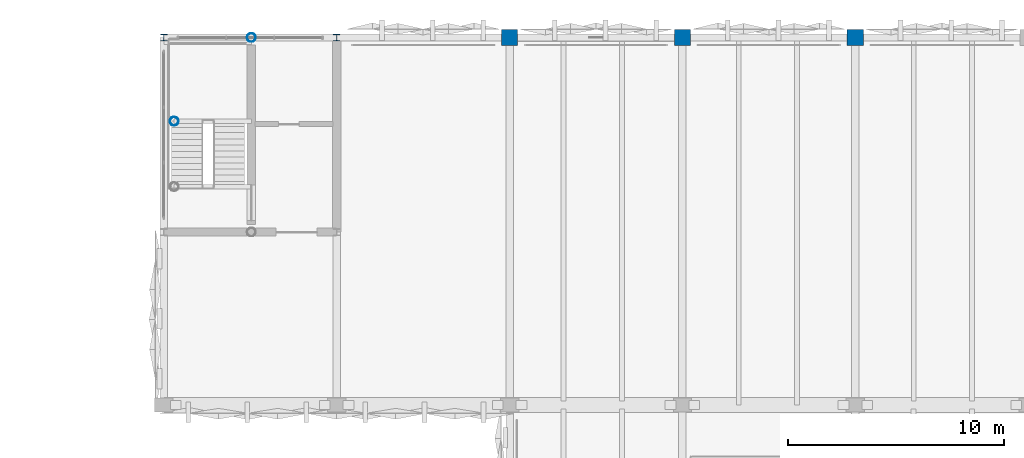
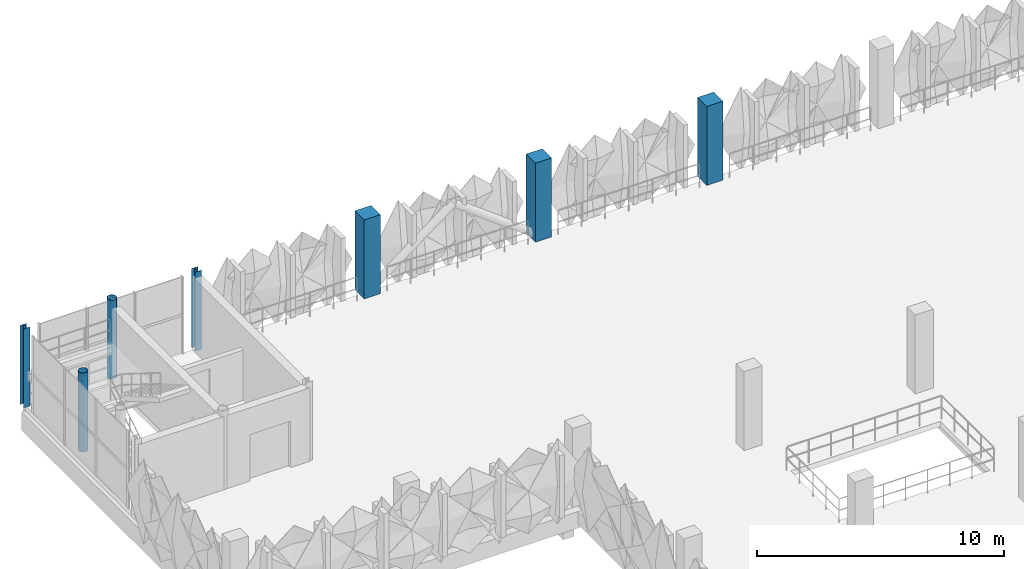
# One storey, part 8 of 76: 7 columns.
"""IFC4 building model written with IfcOpenShell, lengths in metres."""

from ifc_helpers import new_model, si_unit, derived_unit, direction, frame, origin, origin_2d, place, context, subcontext, project, spatial, rectangle, hollow_circle, i_section, extrude, material, material_profile, profile_set, type_object, element, save


model = new_model("IFC4")

# Units and contexts
model_context = context("Model", 3, precision=1e-05, world=origin(), true_north=direction((0.0, 1.0)))
body_context = subcontext(model_context, "Body", "Model", "MODEL_VIEW")
ifc_project = project(units=[si_unit("LENGTHUNIT", "METRE"), si_unit("AREAUNIT", "SQUARE_METRE"), si_unit("VOLUMEUNIT", "CUBIC_METRE"), si_unit("PLANEANGLEUNIT", "RADIAN"), si_unit("MASSUNIT", "GRAM", prefix="KILO"), si_unit("THERMODYNAMICTEMPERATUREUNIT", "KELVIN"), derived_unit("THERMALTRANSMITTANCEUNIT", [(si_unit("POWERUNIT", "WATT"), 1), (si_unit("AREAUNIT", "SQUARE_METRE"), -1), (si_unit("THERMODYNAMICTEMPERATUREUNIT", "KELVIN"), -1)])], contexts=[model_context])

# Site, building, storey
site_placement = place(None, origin())
site = spatial("IfcSite", under=ifc_project, at=site_placement, CompositionType="ELEMENT")
building_placement = place(site_placement, origin())
building = spatial("IfcBuilding", under=site, at=building_placement, Name="Haiyu Intermodal Mobility Hub", CompositionType="ELEMENT")
storey_placement = place(building_placement, frame((0.0, 0.0, 17.300048828125)))
storey = spatial("IfcBuildingStorey", under=building, at=storey_placement, Name="L04", CompositionType="ELEMENT", Elevation=17.300048828125)

# Columns
ifc_material_1 = material(Name="Precast concrete C40", Category="concrete")
ifc_material_profile_1 = material_profile(ifc_material_1, rectangle(XDim=0.75, YDim=0.75, at=origin_2d()), Name="RC750x750")
ifc_profile_set_1 = profile_set([ifc_material_profile_1], Name="Precast concrete C40")
column_type_1 = type_object("IfcColumnType", Name="COL-CC03-EXT", PredefinedType="COLUMN", material=ifc_profile_set_1)
for number, where, z_axis, x_axis, name in (
    (1, (38.0, 148.0, 0.0), (0.0, 0.0, 1.0), (1.0, 0.0, 0.0), "Column V4-4S L04"),
    (2, (46.0, 148.0, 0.0), (0.0, 0.0, 1.0), (1.0, 0.0, 0.0), "Column V4-5S L04"),
    (3, (54.0, 148.0, 0.0), (0.0, 0.0, 1.0), (1.0, 0.0, 0.0), "Column V4-6S L04"),
):
    element("IfcColumn", number, at=place(storey_placement, frame(where, z_axis=z_axis, x_axis=x_axis)), inside=storey, type_object=column_type_1, Name=name, PredefinedType="COLUMN", context=body_context, shape_type="SweptSolid", body=[
        extrude(rectangle(XDim=0.75, YDim=0.75, at=origin_2d()), origin(), (0.0, 0.0, 1.0), 3.89990234375),
    ])
ifc_material_2 = material(Name="Steel Q355C", Category="steel")
ifc_material_profile_2 = material_profile(ifc_material_2, hollow_circle(Radius=0.202880859375, WallThickness=0.013916015625, at=origin_2d()), Name="CHS406x14")
ifc_profile_set_2 = profile_set([ifc_material_profile_2], Name="Steel Q355C")
column_type_2 = type_object("IfcColumnType", Name="COL-SC03", PredefinedType="COLUMN", material=ifc_profile_set_2)
column_1_placement = place(storey_placement, frame((22.47998046875, 144.1298828125, 0.0), z_axis=(0.0, 0.0, 1.0), x_axis=(1.0, 0.0, 0.0)))
element("IfcColumn", 4, at=column_1_placement, inside=storey, type_object=column_type_2, Name="Column C3-WLP L04", PredefinedType="COLUMN", context=body_context, shape_type="SweptSolid", body=[
    extrude(hollow_circle(Radius=0.202880859375, WallThickness=0.013916015625, at=origin_2d()), origin(), (0.0, 0.0, 1.0), 3.89990234375),
])
ifc_material_profile_3 = material_profile(ifc_material_2, hollow_circle(Radius=0.202880859375, WallThickness=0.013916015625, at=origin_2d()), Name="CHS406x14")
ifc_profile_set_3 = profile_set([ifc_material_profile_3], Name="Steel Q355C")
column_type_3 = type_object("IfcColumnType", Name="COL-SC03-EXT", PredefinedType="COLUMN", material=ifc_profile_set_3)
column_2_placement = place(storey_placement, frame((26.050048828125, 148.0, 0.0), z_axis=(0.0, 0.0, 1.0), x_axis=(1.0, 0.0, 0.0)))
element("IfcColumn", 5, at=column_2_placement, inside=storey, type_object=column_type_3, Name="Column C3-MN L04", PredefinedType="COLUMN", context=body_context, shape_type="SweptSolid", body=[
    extrude(hollow_circle(Radius=0.202880859375, WallThickness=0.013916015625, at=origin_2d()), origin(), (0.0, 0.0, 1.0), 3.89990234375),
])
ifc_material_profile_4 = material_profile(ifc_material_2, i_section(OverallWidth=0.300048828125, OverallDepth=0.300048828125, WebThickness=0.010009765625, FlangeThickness=0.014892578125, FilletRadius=0.01806640625, at=origin_2d()), Name="HW300x300x10x15")
ifc_profile_set_4 = profile_set([ifc_material_profile_4], Name="Steel Q355C")
column_type_4 = type_object("IfcColumnType", Name="COL-SC07-EXT", PredefinedType="COLUMN", material=ifc_profile_set_4)
for number, where, z_axis, x_axis, name in (
    (6, (22.0, 148.0, 0.0), (0.0, 0.0, 1.0), (1.0, 0.0, 0.0), "Column C3-NW L04"),
    (7, (30.0, 148.0, 0.0), (0.0, 0.0, 1.0), (1.0, 0.0, 0.0), "Column C3-NE L04"),
):
    element("IfcColumn", number, at=place(storey_placement, frame(where, z_axis=z_axis, x_axis=x_axis)), inside=storey, type_object=column_type_4, Name=name, PredefinedType="COLUMN", context=body_context, shape_type="SweptSolid", body=[
        extrude(i_section(OverallWidth=0.300048828125, OverallDepth=0.300048828125, WebThickness=0.010009765625, FlangeThickness=0.014892578125, FilletRadius=0.01806640625, at=origin_2d()), origin(), (0.0, 0.0, 1.0), 3.89990234375),
    ])

save(model, "model.ifc")
